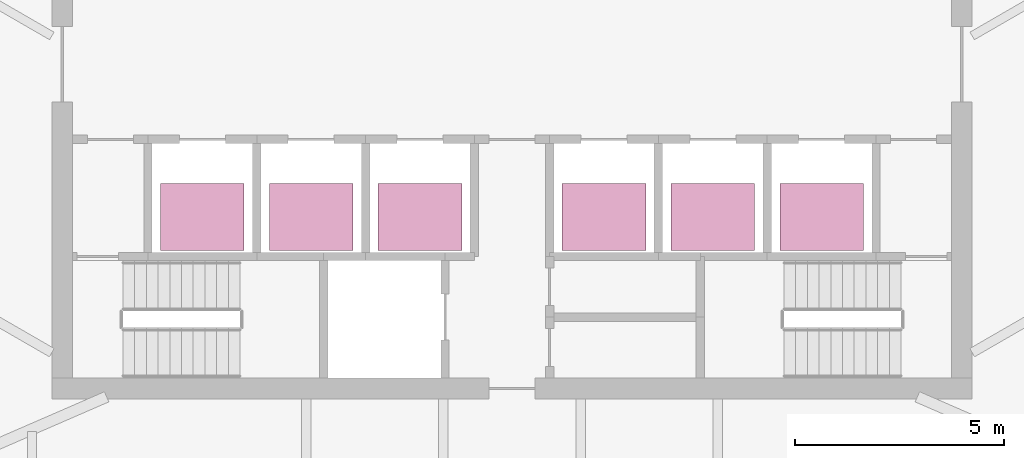
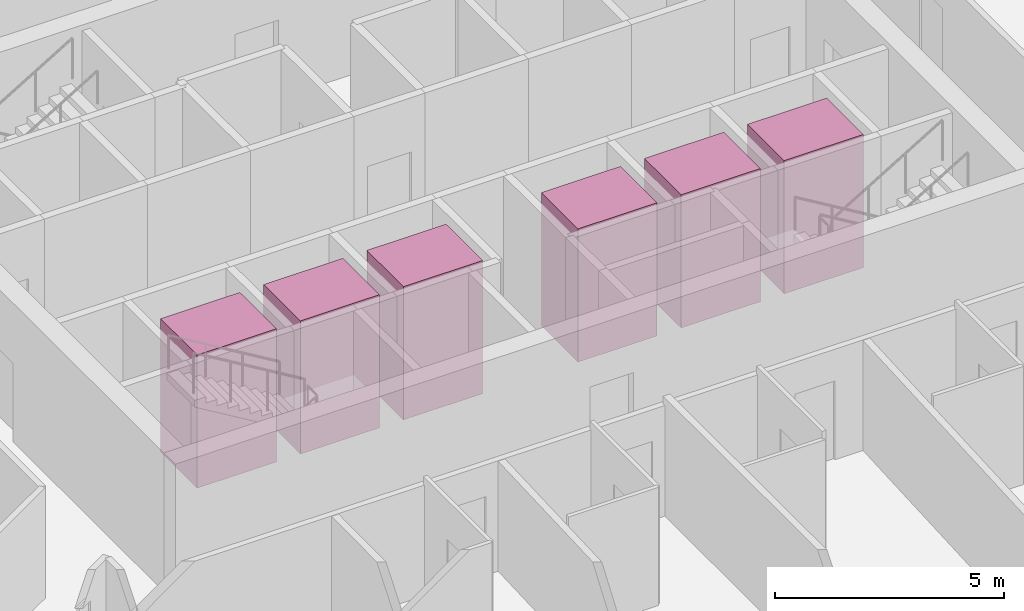
# One storey, part 18 of 18: 6 transport elements.
"""IFC4 building model written with IfcOpenShell, lengths in metres."""

from ifc_helpers import new_model, si_unit, direction, frame, origin, origin_2d, place, context, subcontext, project, spatial, rectangle, extrude, material, type_object, element, save


model = new_model("IFC4")

# Units and contexts
model_context = context("Model", 3, precision=1e-05, world=origin(), true_north=direction((0.0, 1.0)))
body_context = subcontext(model_context, "Body", "Model", "MODEL_VIEW")
ifc_project = project(units=[si_unit("LENGTHUNIT", "METRE"), si_unit("AREAUNIT", "SQUARE_METRE"), si_unit("VOLUMEUNIT", "CUBIC_METRE"), si_unit("PLANEANGLEUNIT", "RADIAN"), si_unit("MASSUNIT", "GRAM", prefix="KILO")], contexts=[model_context])

# Site, building, storey
site_placement = place(None, origin())
site = spatial("IfcSite", under=ifc_project, at=site_placement, CompositionType="ELEMENT")
building_placement = place(site_placement, origin())
building = spatial("IfcBuilding", under=site, at=building_placement, Name="Sierra Prisma Convention Tower", CompositionType="ELEMENT")
storey_placement = place(building_placement, frame((0.0, 0.0, 81.300048828125)))
storey = spatial("IfcBuildingStorey", under=building, at=storey_placement, Name="L16", CompositionType="ELEMENT", Elevation=81.300048828125)

# Transport elements
ifc_material = material(Name="Stainless steel", Category="steel")
transport_element_type = type_object("IfcTransportElementType", Name="Lift car hotel 2000x1600 1600 kg", PredefinedType="ELEVATOR", material=ifc_material)
for number, where, z_axis, x_axis, name in (
    (1, (-7.39990234375, -3.64990234375, 0.0), (0.0, 0.0, 1.0), (1.0, 0.0, 0.0), "Lift HT1"),
    (2, (-4.800048828125, -3.64990234375, 0.0), (0.0, 0.0, 1.0), (1.0, 0.0, 0.0), "Lift HT2"),
    (3, (-2.199951171875, -3.64990234375, 0.0), (0.0, 0.0, 1.0), (1.0, 0.0, 0.0), "Lift HT3"),
    (4, (2.199951171875, -3.64990234375, 0.0), (0.0, 0.0, 1.0), (1.0, 0.0, 0.0), "Lift HT4"),
    (5, (4.800048828125, -3.64990234375, 0.0), (0.0, 0.0, 1.0), (1.0, 0.0, 0.0), "Lift HT5"),
    (6, (7.39990234375, -3.64990234375, 0.0), (0.0, 0.0, 1.0), (1.0, 0.0, 0.0), "Lift HT6"),
):
    element("IfcTransportElement", number, at=place(storey_placement, frame(where, z_axis=z_axis, x_axis=x_axis)), inside=storey, type_object=transport_element_type, Name=name, PredefinedType="ELEVATOR", context=body_context, shape_type="SweptSolid", body=[
        extrude(rectangle(XDim=2.0, YDim=1.60009765625, at=origin_2d()), origin(), (0.0, 0.0, 1.0), 3.550048828125),
    ])

save(model, "model.ifc")
